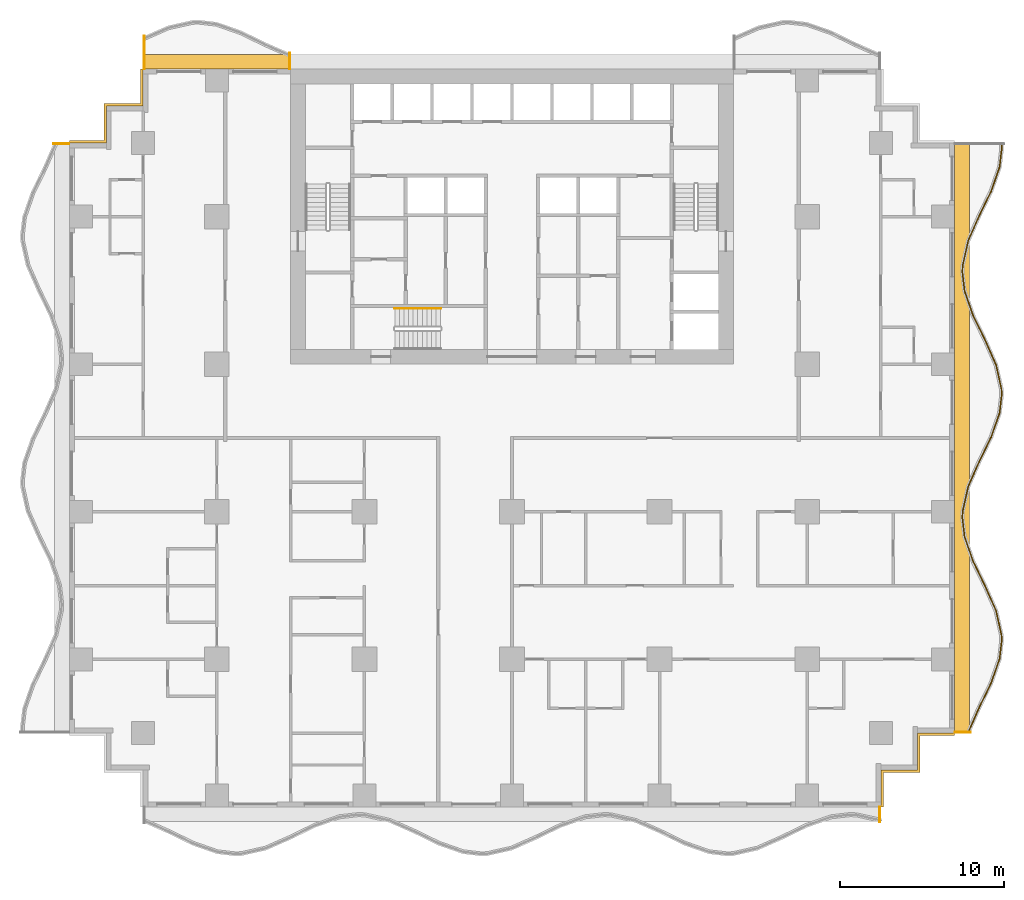
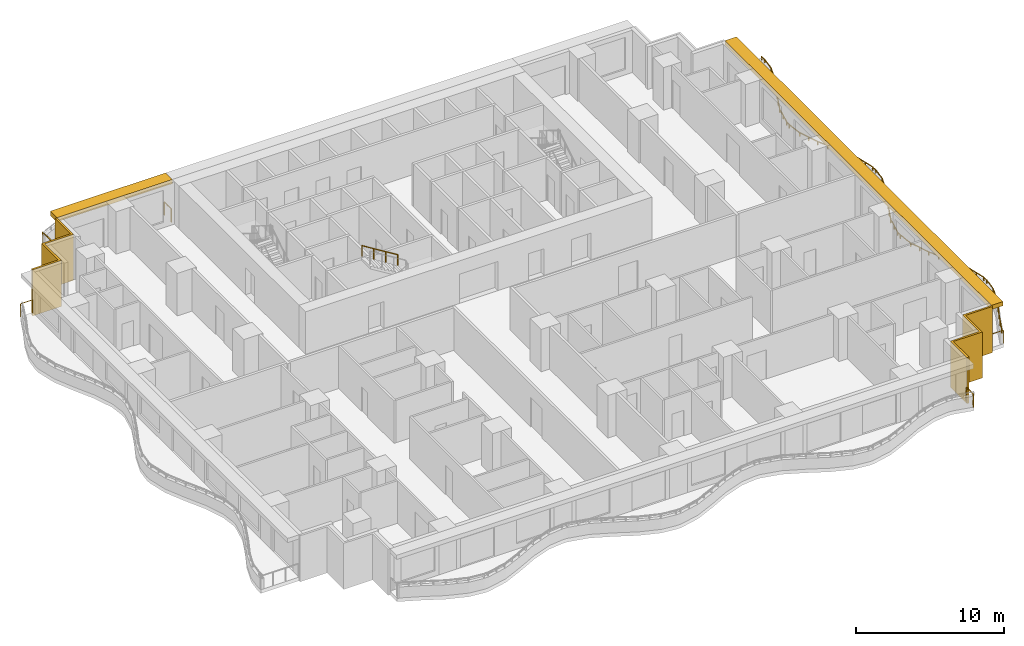
# One storey, part 11 of 14: 7 railings, 4 shading devices.
"""IFC4 building model written with IfcOpenShell, lengths in metres."""

from ifc_helpers import new_model, si_unit, direction, frame, origin, origin_2d, place, context, subcontext, project, spatial, polyline, rectangle, circle, outline, extrude, material, layer, layer_set, type_object, element, save


model = new_model("IFC4")

# Units and contexts
model_context = context("Model", 3, precision=1e-05, world=origin(), true_north=direction((0.0, 1.0)))
body_context = subcontext(model_context, "Body", "Model", "MODEL_VIEW")
ifc_project = project(units=[si_unit("LENGTHUNIT", "METRE"), si_unit("AREAUNIT", "SQUARE_METRE"), si_unit("VOLUMEUNIT", "CUBIC_METRE"), si_unit("PLANEANGLEUNIT", "RADIAN"), si_unit("MASSUNIT", "GRAM", prefix="KILO")], contexts=[model_context])

# Site, building, storey
site_placement = place(None, origin())
site = spatial("IfcSite", under=ifc_project, at=site_placement, CompositionType="ELEMENT")
building_placement = place(site_placement, origin())
building = spatial("IfcBuilding", under=site, at=building_placement, Name="Orbiselva Terraces", CompositionType="ELEMENT")
storey_placement = place(building_placement, frame((0.0, 0.0, 41.6)))
storey = spatial("IfcBuildingStorey", under=building, at=storey_placement, Name="L10", CompositionType="ELEMENT", Elevation=41.6)

# Railings
ifc_material_1 = material(Name="Stainless steel", Category="steel")
railing_type_1 = type_object("IfcRailingType", Name="CORE-HANDRAIL-900", PredefinedType="HANDRAIL", material=ifc_material_1)
railing_1_placement = place(storey_placement, frame((-4.35, 7.9, 2.072727)))
element("IfcRailing", 1, at=railing_1_placement, inside=storey, type_object=railing_type_1, Name="L10 S3 stair handrail 2", PredefinedType="HANDRAIL", context=body_context, shape_type="SweptSolid", body=[
    extrude(circle(Radius=0.024, at=origin_2d()), frame((0.0, 0.0, 0.876), z_axis=(-0.851088519012, 0.0, 0.52502222125), x_axis=(0.0, -1.0, 0.0)), (0.0, 0.0, 1.0), 3.289905),
    extrude(circle(Radius=0.021, at=origin_2d()), origin(), (0.0, 0.0, 1.0), 0.852),
    extrude(circle(Radius=0.021, at=origin_2d()), frame((-0.933333, 0.0, 0.575758)), (0.0, 0.0, 1.0), 0.852),
    extrude(circle(Radius=0.021, at=origin_2d()), frame((-1.866667, 0.0, 1.151515)), (0.0, 0.0, 1.0), 0.852),
    extrude(circle(Radius=0.021, at=origin_2d()), frame((-2.8, 0.0, 1.727273)), (0.0, 0.0, 1.0), 0.852),
])
ifc_material_2 = material(Name="Bonded two-ply safety glass balustrade, stainless steel posts", Category="steel")
railing_type_2 = type_object("IfcRailingType", Name="ENV-BALUSTRADE-1200", PredefinedType="BALUSTRADE", material=ifc_material_2)
railing_2_placement = place(storey_placement, frame((27.83708, -17.949606, 0.9)))
element("IfcRailing", 2, at=railing_2_placement, inside=storey, type_object=railing_type_2, Name="Balcony balustrade L10 E", PredefinedType="BALUSTRADE", context=body_context, shape_type="SweptSolid", body=[
    extrude(outline(polyline([(0.028868, 0.0), (0.014434, 0.025), (-0.014434, 0.025), (-0.028868, 0.0), (-0.014434, -0.025), (0.014434, -0.025), (0.028868, 0.0)])), frame((0.0, 0.0, 0.275), z_axis=(0.403151175476, 0.915133394491, 0.0), x_axis=(-0.915133394491, 0.403151175476, 0.0)), (0.0, 0.0, 1.0), 1.641563),
    extrude(outline(polyline([(0.028868, 0.0), (0.014434, 0.025), (-0.014434, 0.025), (-0.028868, 0.0), (-0.014434, -0.025), (0.014434, -0.025), (0.028868, 0.0)])), frame((0.661798, 1.502249, 0.275), z_axis=(0.438811978768, 0.89857890432, 0.0), x_axis=(-0.89857890432, 0.438811978768, 0.0)), (0.0, 0.0, 1.0), 1.66438),
    extrude(outline(polyline([(0.028868, 0.0), (0.014434, 0.025), (-0.014434, 0.025), (-0.028868, 0.0), (-0.014434, -0.025), (0.014434, -0.025), (0.028868, 0.0)])), frame((1.392148, 2.997826, 0.275), z_axis=(0.330024754707, 0.943972277814, 0.0), x_axis=(-0.943972277814, 0.330024754707, 0.0)), (0.0, 0.0, 1.0), 1.567807),
    extrude(outline(polyline([(0.028868, 0.0), (0.014434, 0.025), (-0.014434, 0.025), (-0.028868, 0.0), (-0.014434, -0.025), (0.014434, -0.025), (0.028868, 0.0)])), frame((1.909563, 4.477792, 0.275), z_axis=(0.115481264762, 0.993309658409, 0.0), x_axis=(-0.993309658409, 0.115481264762, 0.0)), (0.0, 0.0, 1.0), 1.10902),
    extrude(outline(polyline([(0.028868, 0.0), (0.014434, 0.025), (-0.014434, 0.025), (-0.028868, 0.0), (-0.014434, -0.025), (0.014434, -0.025), (0.028868, 0.0)])), frame((2.037634, 5.579392, 0.275), z_axis=(-0.039364150694, 0.999224931454, 0.0), x_axis=(-0.999224931454, -0.039364150694, 0.0)), (0.0, 0.0, 1.0), 0.354206),
    extrude(outline(polyline([(0.028868, 0.0), (0.014434, 0.025), (-0.014434, 0.025), (-0.028868, 0.0), (-0.014434, -0.025), (0.014434, -0.025), (0.028868, 0.0)])), frame((2.023691, 5.933323, 0.275), z_axis=(-0.219015740235, 0.975721325753, 0.0), x_axis=(-0.975721325753, -0.219015740235, 0.0)), (0.0, 0.0, 1.0), 1.513782),
    extrude(outline(polyline([(0.028868, 0.0), (0.014434, 0.025), (-0.014434, 0.025), (-0.028868, 0.0), (-0.014434, -0.025), (0.014434, -0.025), (0.028868, 0.0)])), frame((1.692149, 7.410352, 0.275), z_axis=(-0.403151245402, 0.915133363686, 0.0), x_axis=(-0.915133363686, -0.403151245402, 0.0)), (0.0, 0.0, 1.0), 1.624475),
    extrude(outline(polyline([(0.028868, 0.0), (0.014434, 0.025), (-0.014434, 0.025), (-0.028868, 0.0), (-0.014434, -0.025), (0.014434, -0.025), (0.028868, 0.0)])), frame((1.03724, 8.896963, 0.275), z_axis=(-0.438812048596, 0.898578870221, 0.0), x_axis=(-0.898578870221, -0.438812048596, 0.0)), (0.0, 0.0, 1.0), 1.674225),
    extrude(outline(polyline([(0.028868, 0.0), (0.014434, 0.025), (-0.014434, 0.025), (-0.028868, 0.0), (-0.014434, -0.025), (0.014434, -0.025), (0.028868, 0.0)])), frame((0.30257, 10.401386, 0.275), z_axis=(-0.330024597479, 0.943972332783, 0.0), x_axis=(-0.943972332783, -0.330024597479, 0.0)), (0.0, 0.0, 1.0), 1.610253),
    extrude(outline(polyline([(0.028868, 0.0), (0.014434, 0.025), (-0.014434, 0.025), (-0.028868, 0.0), (-0.014434, -0.025), (0.014434, -0.025), (0.028868, 0.0)])), frame((-0.228853, 11.92142, 0.275), z_axis=(-0.115482182324, 0.993309551734, 0.0), x_axis=(-0.993309551734, -0.115482182324, 0.0)), (0.0, 0.0, 1.0), 1.156135),
    extrude(outline(polyline([(0.028868, 0.0), (0.014434, 0.025), (-0.014434, 0.025), (-0.028868, 0.0), (-0.014434, -0.025), (0.014434, -0.025), (0.028868, 0.0)])), frame((-0.362366, 13.06982, 0.275), z_axis=(0.03936915532, 0.999224734286, 0.0), x_axis=(-0.999224734286, 0.03936915532, 0.0)), (0.0, 0.0, 1.0), 0.396376),
    extrude(outline(polyline([(0.028868, 0.0), (0.014434, 0.025), (-0.014434, 0.025), (-0.028868, 0.0), (-0.014434, -0.025), (0.014434, -0.025), (0.028868, 0.0)])), frame((-0.346761, 13.465889, 0.275), z_axis=(0.219015500924, 0.97572137947, 0.0), x_axis=(-0.97572137947, 0.219015500924, 0.0)), (0.0, 0.0, 1.0), 1.560867),
    extrude(outline(polyline([(0.028868, 0.0), (0.014434, 0.025), (-0.014434, 0.025), (-0.028868, 0.0), (-0.014434, -0.025), (0.014434, -0.025), (0.028868, 0.0)])), frame((-0.004907, 14.98886, 0.275), z_axis=(0.403150874148, 0.915133527237, 0.0), x_axis=(-0.915133527237, 0.403150874148, 0.0)), (0.0, 0.0, 1.0), 1.653736),
    extrude(outline(polyline([(0.028868, 0.0), (0.014434, 0.025), (-0.014434, 0.025), (-0.028868, 0.0), (-0.014434, -0.025), (0.014434, -0.025), (0.028868, 0.0)])), frame((0.661798, 16.502249, 0.275), z_axis=(0.438811978768, 0.89857890432, 0.0), x_axis=(-0.89857890432, 0.438811978768, 0.0)), (0.0, 0.0, 1.0), 1.66438),
    extrude(outline(polyline([(0.028868, 0.0), (0.014434, 0.025), (-0.014434, 0.025), (-0.028868, 0.0), (-0.014434, -0.025), (0.014434, -0.025), (0.028868, 0.0)])), frame((1.392148, 17.997826, 0.275), z_axis=(0.330024754707, 0.943972277814, 0.0), x_axis=(-0.943972277814, 0.330024754707, 0.0)), (0.0, 0.0, 1.0), 1.567807),
    extrude(outline(polyline([(0.028868, 0.0), (0.014434, 0.025), (-0.014434, 0.025), (-0.028868, 0.0), (-0.014434, -0.025), (0.014434, -0.025), (0.028868, 0.0)])), frame((1.909563, 19.477792, 0.275), z_axis=(0.115481264762, 0.993309658409, 0.0), x_axis=(-0.993309658409, 0.115481264762, 0.0)), (0.0, 0.0, 1.0), 1.10902),
    extrude(outline(polyline([(0.028868, 0.0), (0.014434, 0.025), (-0.014434, 0.025), (-0.028868, 0.0), (-0.014434, -0.025), (0.014434, -0.025), (0.028868, 0.0)])), frame((2.037634, 20.579392, 0.275), z_axis=(-0.039364150694, 0.999224931454, 0.0), x_axis=(-0.999224931454, -0.039364150694, 0.0)), (0.0, 0.0, 1.0), 0.354206),
    extrude(outline(polyline([(0.028868, 0.0), (0.014434, 0.025), (-0.014434, 0.025), (-0.028868, 0.0), (-0.014434, -0.025), (0.014434, -0.025), (0.028868, 0.0)])), frame((2.023691, 20.933323, 0.275), z_axis=(-0.219015740235, 0.975721325753, 0.0), x_axis=(-0.975721325753, -0.219015740235, 0.0)), (0.0, 0.0, 1.0), 1.513782),
    extrude(outline(polyline([(0.028868, 0.0), (0.014434, 0.025), (-0.014434, 0.025), (-0.028868, 0.0), (-0.014434, -0.025), (0.014434, -0.025), (0.028868, 0.0)])), frame((1.692149, 22.410352, 0.275), z_axis=(-0.403151245402, 0.915133363686, 0.0), x_axis=(-0.915133363686, -0.403151245402, 0.0)), (0.0, 0.0, 1.0), 1.624475),
    extrude(outline(polyline([(0.028868, 0.0), (0.014434, 0.025), (-0.014434, 0.025), (-0.028868, 0.0), (-0.014434, -0.025), (0.014434, -0.025), (0.028868, 0.0)])), frame((1.03724, 23.896963, 0.275), z_axis=(-0.438812048596, 0.898578870221, 0.0), x_axis=(-0.898578870221, -0.438812048596, 0.0)), (0.0, 0.0, 1.0), 1.674225),
    extrude(outline(polyline([(0.028868, 0.0), (0.014434, 0.025), (-0.014434, 0.025), (-0.028868, 0.0), (-0.014434, -0.025), (0.014434, -0.025), (0.028868, 0.0)])), frame((0.30257, 25.401386, 0.275), z_axis=(-0.330024597479, 0.943972332783, 0.0), x_axis=(-0.943972332783, -0.330024597479, 0.0)), (0.0, 0.0, 1.0), 1.610253),
    extrude(outline(polyline([(0.028868, 0.0), (0.014434, 0.025), (-0.014434, 0.025), (-0.028868, 0.0), (-0.014434, -0.025), (0.014434, -0.025), (0.028868, 0.0)])), frame((-0.228853, 26.92142, 0.275), z_axis=(-0.115482182324, 0.993309551734, 0.0), x_axis=(-0.993309551734, -0.115482182324, 0.0)), (0.0, 0.0, 1.0), 1.156135),
    extrude(outline(polyline([(0.028868, 0.0), (0.014434, 0.025), (-0.014434, 0.025), (-0.028868, 0.0), (-0.014434, -0.025), (0.014434, -0.025), (0.028868, 0.0)])), frame((-0.362366, 28.06982, 0.275), z_axis=(0.03936915532, 0.999224734286, 0.0), x_axis=(-0.999224734286, 0.03936915532, 0.0)), (0.0, 0.0, 1.0), 0.396376),
    extrude(outline(polyline([(0.028868, 0.0), (0.014434, 0.025), (-0.014434, 0.025), (-0.028868, 0.0), (-0.014434, -0.025), (0.014434, -0.025), (0.028868, 0.0)])), frame((-0.346761, 28.465889, 0.275), z_axis=(0.219015500924, 0.97572137947, 0.0), x_axis=(-0.97572137947, 0.219015500924, 0.0)), (0.0, 0.0, 1.0), 1.560867),
    extrude(outline(polyline([(0.028868, 0.0), (0.014434, 0.025), (-0.014434, 0.025), (-0.028868, 0.0), (-0.014434, -0.025), (0.014434, -0.025), (0.028868, 0.0)])), frame((-0.004907, 29.98886, 0.275), z_axis=(0.403150874148, 0.915133527237, 0.0), x_axis=(-0.915133527237, 0.403150874148, 0.0)), (0.0, 0.0, 1.0), 1.653736),
    extrude(outline(polyline([(0.028868, 0.0), (0.014434, 0.025), (-0.014434, 0.025), (-0.028868, 0.0), (-0.014434, -0.025), (0.014434, -0.025), (0.028868, 0.0)])), frame((0.661798, 31.502249, 0.275), z_axis=(0.438811978768, 0.89857890432, 0.0), x_axis=(-0.89857890432, 0.438811978768, 0.0)), (0.0, 0.0, 1.0), 1.66438),
    extrude(outline(polyline([(0.028868, 0.0), (0.014434, 0.025), (-0.014434, 0.025), (-0.028868, 0.0), (-0.014434, -0.025), (0.014434, -0.025), (0.028868, 0.0)])), frame((1.392148, 32.997826, 0.275), z_axis=(0.330024754707, 0.943972277814, 0.0), x_axis=(-0.943972277814, 0.330024754707, 0.0)), (0.0, 0.0, 1.0), 1.567807),
    extrude(outline(polyline([(0.028868, 0.0), (0.014434, 0.025), (-0.014434, 0.025), (-0.028868, 0.0), (-0.014434, -0.025), (0.014434, -0.025), (0.028868, 0.0)])), frame((1.909563, 34.477792, 0.275), z_axis=(0.115481264762, 0.993309658409, 0.0), x_axis=(-0.993309658409, 0.115481264762, 0.0)), (0.0, 0.0, 1.0), 1.10902),
    extrude(outline(polyline([(0.028868, 0.0), (0.014434, 0.025), (-0.014434, 0.025), (-0.028868, 0.0), (-0.014434, -0.025), (0.014434, -0.025), (0.028868, 0.0)])), frame((2.037634, 35.579392, 0.275), z_axis=(-0.039365236599, 0.999224888675, 0.0), x_axis=(-0.999224888675, -0.039365236599, 0.0)), (0.0, 0.0, 1.0), 0.365576),
    extrude(rectangle(XDim=0.05, YDim=0.05, at=origin_2d()), origin(), (0.0, 0.0, 1.0), 0.25),
    extrude(rectangle(XDim=0.05, YDim=0.05, at=origin_2d()), frame((0.330899, 0.751124, 0.0)), (0.0, 0.0, 1.0), 0.25),
    extrude(rectangle(XDim=0.05, YDim=0.05, at=origin_2d()), frame((0.661798, 1.502249, 0.0)), (0.0, 0.0, 1.0), 0.25),
    extrude(rectangle(XDim=0.05, YDim=0.05, at=origin_2d()), frame((1.026973, 2.250037, 0.0)), (0.0, 0.0, 1.0), 0.25),
    extrude(rectangle(XDim=0.05, YDim=0.05, at=origin_2d()), frame((1.392148, 2.997826, 0.0)), (0.0, 0.0, 1.0), 0.25),
    extrude(rectangle(XDim=0.05, YDim=0.05, at=origin_2d()), frame((1.650855, 3.737809, 0.0)), (0.0, 0.0, 1.0), 0.25),
    extrude(rectangle(XDim=0.05, YDim=0.05, at=origin_2d()), frame((1.909563, 4.477792, 0.0)), (0.0, 0.0, 1.0), 0.25),
    extrude(rectangle(XDim=0.05, YDim=0.05, at=origin_2d()), frame((2.037634, 5.579392, 0.0)), (0.0, 0.0, 1.0), 0.25),
    extrude(rectangle(XDim=0.05, YDim=0.05, at=origin_2d()), frame((2.023691, 5.933323, 0.0)), (0.0, 0.0, 1.0), 0.25),
    extrude(rectangle(XDim=0.05, YDim=0.05, at=origin_2d()), frame((1.85792, 6.671838, 0.0)), (0.0, 0.0, 1.0), 0.25),
    extrude(rectangle(XDim=0.05, YDim=0.05, at=origin_2d()), frame((1.692149, 7.410352, 0.0)), (0.0, 0.0, 1.0), 0.25),
    extrude(rectangle(XDim=0.05, YDim=0.05, at=origin_2d()), frame((1.364695, 8.153658, 0.0)), (0.0, 0.0, 1.0), 0.25),
    extrude(rectangle(XDim=0.05, YDim=0.05, at=origin_2d()), frame((1.03724, 8.896963, 0.0)), (0.0, 0.0, 1.0), 0.25),
    extrude(rectangle(XDim=0.05, YDim=0.05, at=origin_2d()), frame((0.669905, 9.649174, 0.0)), (0.0, 0.0, 1.0), 0.25),
    extrude(rectangle(XDim=0.05, YDim=0.05, at=origin_2d()), frame((0.30257, 10.401386, 0.0)), (0.0, 0.0, 1.0), 0.25),
    extrude(rectangle(XDim=0.05, YDim=0.05, at=origin_2d()), frame((0.036858, 11.161403, 0.0)), (0.0, 0.0, 1.0), 0.25),
    extrude(rectangle(XDim=0.05, YDim=0.05, at=origin_2d()), frame((-0.228853, 11.92142, 0.0)), (0.0, 0.0, 1.0), 0.25),
    extrude(rectangle(XDim=0.05, YDim=0.05, at=origin_2d()), frame((-0.362366, 13.06982, 0.0)), (0.0, 0.0, 1.0), 0.25),
    extrude(rectangle(XDim=0.05, YDim=0.05, at=origin_2d()), frame((-0.346761, 13.465889, 0.0)), (0.0, 0.0, 1.0), 0.25),
    extrude(rectangle(XDim=0.05, YDim=0.05, at=origin_2d()), frame((-0.175834, 14.227374, 0.0)), (0.0, 0.0, 1.0), 0.25),
    extrude(rectangle(XDim=0.05, YDim=0.05, at=origin_2d()), frame((-0.004907, 14.98886, 0.0)), (0.0, 0.0, 1.0), 0.25),
    extrude(rectangle(XDim=0.05, YDim=0.05, at=origin_2d()), frame((0.328446, 15.745554, 0.0)), (0.0, 0.0, 1.0), 0.25),
    extrude(rectangle(XDim=0.05, YDim=0.05, at=origin_2d()), frame((0.661798, 16.502249, 0.0)), (0.0, 0.0, 1.0), 0.25),
    extrude(rectangle(XDim=0.05, YDim=0.05, at=origin_2d()), frame((1.026973, 17.250037, 0.0)), (0.0, 0.0, 1.0), 0.25),
    extrude(rectangle(XDim=0.05, YDim=0.05, at=origin_2d()), frame((1.392148, 17.997826, 0.0)), (0.0, 0.0, 1.0), 0.25),
    extrude(rectangle(XDim=0.05, YDim=0.05, at=origin_2d()), frame((1.650855, 18.737809, 0.0)), (0.0, 0.0, 1.0), 0.25),
    extrude(rectangle(XDim=0.05, YDim=0.05, at=origin_2d()), frame((1.909563, 19.477792, 0.0)), (0.0, 0.0, 1.0), 0.25),
    extrude(rectangle(XDim=0.05, YDim=0.05, at=origin_2d()), frame((2.037634, 20.579392, 0.0)), (0.0, 0.0, 1.0), 0.25),
    extrude(rectangle(XDim=0.05, YDim=0.05, at=origin_2d()), frame((2.023691, 20.933323, 0.0)), (0.0, 0.0, 1.0), 0.25),
    extrude(rectangle(XDim=0.05, YDim=0.05, at=origin_2d()), frame((1.85792, 21.671838, 0.0)), (0.0, 0.0, 1.0), 0.25),
    extrude(rectangle(XDim=0.05, YDim=0.05, at=origin_2d()), frame((1.692149, 22.410352, 0.0)), (0.0, 0.0, 1.0), 0.25),
    extrude(rectangle(XDim=0.05, YDim=0.05, at=origin_2d()), frame((1.364695, 23.153658, 0.0)), (0.0, 0.0, 1.0), 0.25),
    extrude(rectangle(XDim=0.05, YDim=0.05, at=origin_2d()), frame((1.03724, 23.896963, 0.0)), (0.0, 0.0, 1.0), 0.25),
    extrude(rectangle(XDim=0.05, YDim=0.05, at=origin_2d()), frame((0.669905, 24.649174, 0.0)), (0.0, 0.0, 1.0), 0.25),
    extrude(rectangle(XDim=0.05, YDim=0.05, at=origin_2d()), frame((0.30257, 25.401386, 0.0)), (0.0, 0.0, 1.0), 0.25),
    extrude(rectangle(XDim=0.05, YDim=0.05, at=origin_2d()), frame((0.036858, 26.161403, 0.0)), (0.0, 0.0, 1.0), 0.25),
    extrude(rectangle(XDim=0.05, YDim=0.05, at=origin_2d()), frame((-0.228853, 26.92142, 0.0)), (0.0, 0.0, 1.0), 0.25),
    extrude(rectangle(XDim=0.05, YDim=0.05, at=origin_2d()), frame((-0.362366, 28.06982, 0.0)), (0.0, 0.0, 1.0), 0.25),
    extrude(rectangle(XDim=0.05, YDim=0.05, at=origin_2d()), frame((-0.346761, 28.465889, 0.0)), (0.0, 0.0, 1.0), 0.25),
    extrude(rectangle(XDim=0.05, YDim=0.05, at=origin_2d()), frame((-0.175834, 29.227374, 0.0)), (0.0, 0.0, 1.0), 0.25),
    extrude(rectangle(XDim=0.05, YDim=0.05, at=origin_2d()), frame((-0.004907, 29.98886, 0.0)), (0.0, 0.0, 1.0), 0.25),
    extrude(rectangle(XDim=0.05, YDim=0.05, at=origin_2d()), frame((0.328446, 30.745554, 0.0)), (0.0, 0.0, 1.0), 0.25),
    extrude(rectangle(XDim=0.05, YDim=0.05, at=origin_2d()), frame((0.661798, 31.502249, 0.0)), (0.0, 0.0, 1.0), 0.25),
    extrude(rectangle(XDim=0.05, YDim=0.05, at=origin_2d()), frame((1.026973, 32.250038, 0.0)), (0.0, 0.0, 1.0), 0.25),
    extrude(rectangle(XDim=0.05, YDim=0.05, at=origin_2d()), frame((1.392148, 32.997826, 0.0)), (0.0, 0.0, 1.0), 0.25),
    extrude(rectangle(XDim=0.05, YDim=0.05, at=origin_2d()), frame((1.650855, 33.737809, 0.0)), (0.0, 0.0, 1.0), 0.25),
    extrude(rectangle(XDim=0.05, YDim=0.05, at=origin_2d()), frame((1.909563, 34.477792, 0.0)), (0.0, 0.0, 1.0), 0.25),
    extrude(rectangle(XDim=0.05, YDim=0.05, at=origin_2d()), frame((2.037634, 35.579392, 0.0)), (0.0, 0.0, 1.0), 0.25),
    extrude(rectangle(XDim=0.05, YDim=0.05, at=origin_2d()), frame((2.023243, 35.944685, 0.0)), (0.0, 0.0, 1.0), 0.25),
])
ifc_material_3 = material(Name="Stainless steel rail and posts", Category="steel")
railing_type_3 = type_object("IfcRailingType", Name="ENV-GUARD-1105", PredefinedType="BALUSTRADE", material=ifc_material_3)
railing_3_placement = place(storey_placement, frame((22.44, -23.430416, 0.0)))
element("IfcRailing", 3, at=railing_3_placement, inside=storey, type_object=railing_type_3, Name="Balcony end guard L10 S", PredefinedType="BALUSTRADE", context=body_context, shape_type="SweptSolid", body=[
    extrude(outline(polyline([(0.028868, 0.0), (0.014434, 0.025), (-0.014434, 0.025), (-0.028868, 0.0), (-0.014434, -0.025), (0.014434, -0.025), (0.028868, 0.0)])), frame((0.0, 0.0, 1.08), z_axis=(0.0, 1.0, 0.0), x_axis=(-1.0, 0.0, 0.0)), (0.0, 0.0, 1.0), 0.905416),
    extrude(rectangle(XDim=0.05, YDim=0.05, at=origin_2d()), origin(), (0.0, 0.0, 1.0), 1.055),
    extrude(rectangle(XDim=0.05, YDim=0.05, at=origin_2d()), frame((0.0, 0.905416, 0.0)), (0.0, 0.0, 1.0), 1.055),
])
railing_4_placement = place(storey_placement, frame((27.973063, -17.94, 0.0)))
element("IfcRailing", 4, at=railing_4_placement, inside=storey, type_object=railing_type_3, Name="Balcony end guard L10 E", PredefinedType="BALUSTRADE", context=body_context, shape_type="SweptSolid", body=[
    extrude(outline(polyline([(0.028868, 0.0), (0.014434, 0.025), (-0.014434, 0.025), (-0.028868, 0.0), (-0.014434, -0.025), (0.014434, -0.025), (0.028868, 0.0)])), frame((0.0, 0.0, 1.08), z_axis=(-1.0, 0.0, 0.0), x_axis=(0.0, -1.0, 0.0)), (0.0, 0.0, 1.0), 0.948063),
    extrude(rectangle(XDim=0.05, YDim=0.05, at=origin_2d()), origin(), (0.0, 0.0, 1.0), 1.055),
    extrude(rectangle(XDim=0.05, YDim=0.05, at=origin_2d()), frame((-0.948063, 0.0, 0.0)), (0.0, 0.0, 1.0), 1.055),
])
railing_5_placement = place(storey_placement, frame((-13.56, 23.473063, 0.0)))
element("IfcRailing", 5, at=railing_5_placement, inside=storey, type_object=railing_type_3, Name="Balcony end guard L10 NW", PredefinedType="BALUSTRADE", context=body_context, shape_type="SweptSolid", body=[
    extrude(outline(polyline([(0.028868, 0.0), (0.014434, 0.025), (-0.014434, 0.025), (-0.028868, 0.0), (-0.014434, -0.025), (0.014434, -0.025), (0.028868, 0.0)])), frame((0.0, 0.0, 1.08), z_axis=(0.0, -1.0, 0.0), x_axis=(1.0, 0.0, 0.0)), (0.0, 0.0, 1.0), 0.948063),
    extrude(rectangle(XDim=0.05, YDim=0.05, at=origin_2d()), origin(), (0.0, 0.0, 1.0), 1.055),
    extrude(rectangle(XDim=0.05, YDim=0.05, at=origin_2d()), frame((0.0, -0.948063, 0.0)), (0.0, 0.0, 1.0), 1.055),
])
railing_6_placement = place(storey_placement, frame((-22.44, 24.517447, 0.0)))
element("IfcRailing", 6, at=railing_6_placement, inside=storey, type_object=railing_type_3, Name="Balcony end guard L10 NW", PredefinedType="BALUSTRADE", context=body_context, shape_type="SweptSolid", body=[
    extrude(outline(polyline([(0.028868, 0.0), (0.014434, 0.025), (-0.014434, 0.025), (-0.028868, 0.0), (-0.014434, -0.025), (0.014434, -0.025), (0.028868, 0.0)])), frame((0.0, 0.0, 1.08), z_axis=(0.0, -1.0, 0.0), x_axis=(1.0, 0.0, 0.0)), (0.0, 0.0, 1.0), 1.992447),
    extrude(rectangle(XDim=0.05, YDim=0.05, at=origin_2d()), origin(), (0.0, 0.0, 1.0), 1.055),
    extrude(rectangle(XDim=0.05, YDim=0.05, at=origin_2d()), frame((0.0, -0.996224, 0.0)), (0.0, 0.0, 1.0), 1.055),
    extrude(rectangle(XDim=0.05, YDim=0.05, at=origin_2d()), frame((0.0, -1.992447, 0.0)), (0.0, 0.0, 1.0), 1.055),
])
railing_7_placement = place(storey_placement, frame((-27.973063, 17.94, 0.0)))
element("IfcRailing", 7, at=railing_7_placement, inside=storey, type_object=railing_type_3, Name="Balcony end guard L10 W", PredefinedType="BALUSTRADE", context=body_context, shape_type="SweptSolid", body=[
    extrude(outline(polyline([(0.028868, 0.0), (0.014434, 0.025), (-0.014434, 0.025), (-0.028868, 0.0), (-0.014434, -0.025), (0.014434, -0.025), (0.028868, 0.0)])), frame((0.0, 0.0, 1.08), z_axis=(1.0, 0.0, 0.0), x_axis=(0.0, 1.0, 0.0)), (0.0, 0.0, 1.0), 0.948063),
    extrude(rectangle(XDim=0.05, YDim=0.05, at=origin_2d()), origin(), (0.0, 0.0, 1.0), 1.055),
    extrude(rectangle(XDim=0.05, YDim=0.05, at=origin_2d()), frame((0.948063, 0.0, 0.0)), (0.0, 0.0, 1.0), 1.055),
])

# Shading devices
ifc_material_4 = material(Name="Terracotta louvre screen", Category="masonry")
ifc_layer_1 = layer(ifc_material_4, 0.15)
ifc_layer_set_1 = layer_set([ifc_layer_1], Name="Terracotta louvre screen")
shading_device_type_1 = type_object("IfcShadingDeviceType", Name="ENV-SCREEN-150", PredefinedType="USERDEFINED", material=ifc_layer_set_1)
shading_device_1_placement = place(storey_placement, frame((0.0, 0.0, -0.3)))
element("IfcShadingDevice", 8, at=shading_device_1_placement, inside=storey, type_object=shading_device_type_1, Name="Louvre screen L10 NW", ObjectType="SCREEN", PredefinedType="USERDEFINED", context=body_context, shape_type="SweptSolid", body=[
    extrude(outline(polyline([(-22.65, 22.5), (-22.65, 20.4), (-24.9, 20.4), (-24.9, 18.15), (-27.0, 18.15), (-27.0, 18.0), (-24.75, 18.0), (-24.75, 20.25), (-22.5, 20.25), (-22.5, 22.5), (-22.65, 22.5)])), origin(), (0.0, 0.0, 1.0), 3.8),
])
shading_device_2_placement = place(storey_placement, frame((0.0, 0.0, -0.3)))
element("IfcShadingDevice", 9, at=shading_device_2_placement, inside=storey, type_object=shading_device_type_1, Name="Louvre screen L10 SE", ObjectType="SCREEN", PredefinedType="USERDEFINED", context=body_context, shape_type="SweptSolid", body=[
    extrude(outline(polyline([(22.65, -22.5), (22.65, -20.4), (24.9, -20.4), (24.9, -18.15), (27.0, -18.15), (27.0, -18.0), (24.75, -18.0), (24.75, -20.25), (22.5, -20.25), (22.5, -22.5), (22.65, -22.5)])), origin(), (0.0, 0.0, 1.0), 3.8),
])
ifc_material_5 = material(Name="Terracotta baguette sunshade", Category="masonry")
ifc_layer_2 = layer(ifc_material_5, 0.35)
ifc_layer_set_2 = layer_set([ifc_layer_2], Name="Terracotta baguette sunshade")
shading_device_type_2 = type_object("IfcShadingDeviceType", Name="ENV-SUNSHADE-900x350", PredefinedType="USERDEFINED", material=ifc_layer_set_2)
shading_device_3_placement = place(storey_placement, frame((0.0, 0.0, 3.15)))
element("IfcShadingDevice", 10, at=shading_device_3_placement, inside=storey, type_object=shading_device_type_2, Name="Sunshade band L10 E", ObjectType="SUNSHADE", PredefinedType="USERDEFINED", context=body_context, shape_type="SweptSolid", body=[
    extrude(outline(polyline([(27.9, -18.0), (27.9, 18.0), (27.0, 18.0), (27.0, -18.0), (27.9, -18.0)])), origin(), (0.0, 0.0, 1.0), 0.35),
])
shading_device_4_placement = place(storey_placement, frame((0.0, 0.0, 3.15)))
element("IfcShadingDevice", 11, at=shading_device_4_placement, inside=storey, type_object=shading_device_type_2, Name="Sunshade band L10 NW", ObjectType="SUNSHADE", PredefinedType="USERDEFINED", context=body_context, shape_type="SweptSolid", body=[
    extrude(outline(polyline([(-13.5, 23.4), (-22.5, 23.4), (-22.5, 22.5), (-13.5, 22.5), (-13.5, 23.4)])), origin(), (0.0, 0.0, 1.0), 0.35),
])

save(model, "model.ifc")
